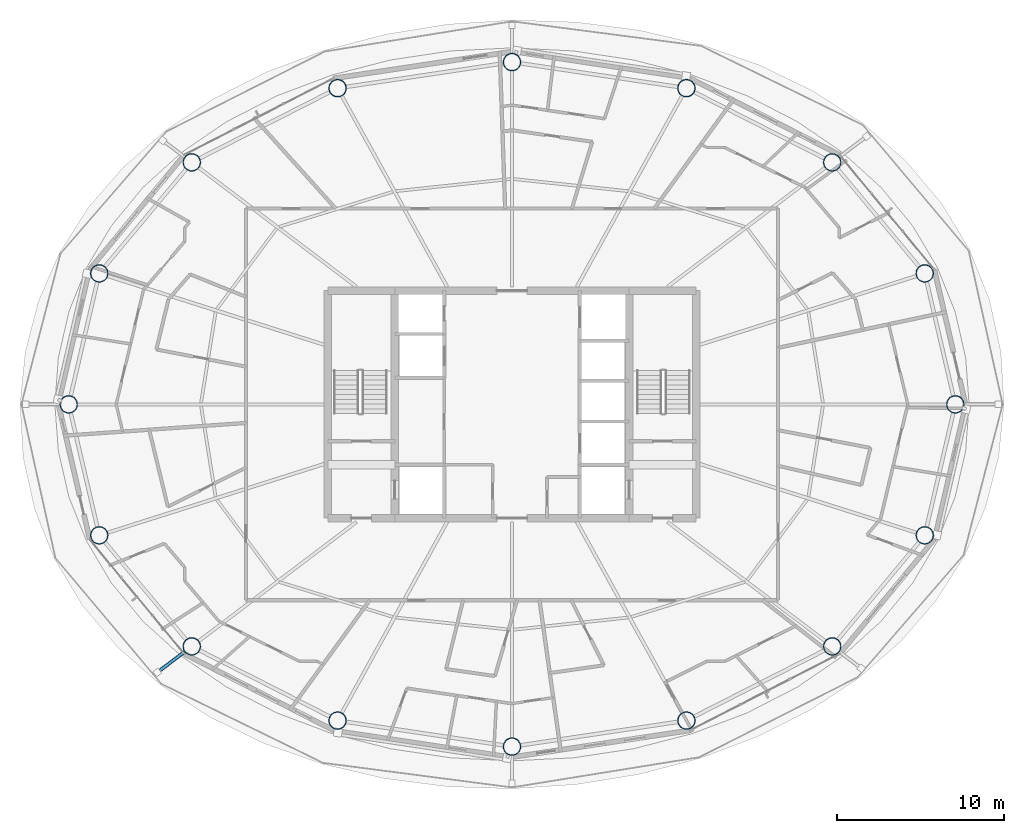
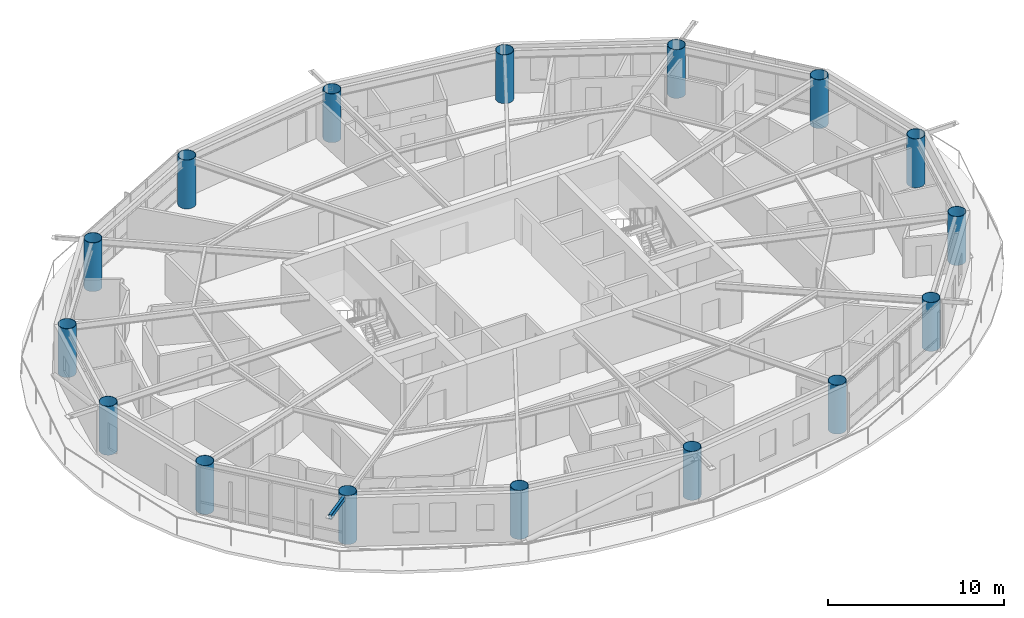
# One storey, part 1 of 30: 16 columns, 1 member.
"""IFC4 building model written with IfcOpenShell, lengths in metres."""

from ifc_helpers import new_model, si_unit, direction, frame, origin, origin_2d, place, context, subcontext, project, spatial, hollow_rectangle, hollow_circle, extrude, material, material_profile, profile_set, type_object, element, save


model = new_model("IFC4")

# Units and contexts
model_context = context("Model", 3, precision=1e-05, world=origin(), true_north=direction((0.0, 1.0)))
body_context = subcontext(model_context, "Body", "Model", "MODEL_VIEW")
ifc_project = project(units=[si_unit("LENGTHUNIT", "METRE"), si_unit("AREAUNIT", "SQUARE_METRE"), si_unit("VOLUMEUNIT", "CUBIC_METRE"), si_unit("PLANEANGLEUNIT", "RADIAN"), si_unit("MASSUNIT", "GRAM", prefix="KILO")], contexts=[model_context])

# Site, building, storey
site_placement = place(None, origin())
site = spatial("IfcSite", under=ifc_project, at=site_placement, CompositionType="ELEMENT")
building_placement = place(site_placement, origin())
building = spatial("IfcBuilding", under=site, at=building_placement, Name="Sarneth Arch Tower", CompositionType="ELEMENT")
storey_placement = place(building_placement, frame((0.0, 0.0, 161.39990234375)))
storey = spatial("IfcBuildingStorey", under=building, at=storey_placement, Name="L40", CompositionType="ELEMENT", Elevation=161.39990234375)

# Columns
ifc_material_1 = material(Name="Steel S355", Category="steel")
ifc_material_profile_1 = material_profile(ifc_material_1, hollow_circle(Radius=0.52490234375, WallThickness=0.028076171875, at=origin_2d()), Name="CHS1050x28")
ifc_profile_set_1 = profile_set([ifc_material_profile_1], Name="Steel S355")
column_type = type_object("IfcColumnType", Name="COL-MEGA-1050", PredefinedType="COLUMN", material=ifc_profile_set_1)
for number, where, z_axis, x_axis, name in (
    (1, (74.487060546875, 42.0, 0.0), (0.0, 0.0, 1.0), (1.0, 0.0, 0.0), "L40 Perimeter mega-column M01"),
    (2, (72.662109375, 49.825927734375, 0.0), (0.0, 0.0, 1.0), (1.0, 0.0, 0.0), "L40 Perimeter mega-column M02"),
    (3, (67.1337890625, 56.46044921875, 0.0), (0.0, 0.0, 1.0), (1.0, 0.0, 0.0), "L40 Perimeter mega-column M03"),
    (4, (58.421875, 60.893310546875, 0.0), (0.0, 0.0, 1.0), (1.0, 0.0, 0.0), "L40 Perimeter mega-column M04"),
    (5, (48.0, 62.449951171875, 0.0), (0.0, 0.0, 1.0), (1.0, 0.0, 0.0), "L40 Perimeter mega-column M05"),
    (6, (37.578125, 60.893310546875, 0.0), (0.0, 0.0, 1.0), (1.0, 0.0, 0.0), "L40 Perimeter mega-column M06"),
    (7, (28.8662109375, 56.46044921875, 0.0), (0.0, 0.0, 1.0), (1.0, 0.0, 0.0), "L40 Perimeter mega-column M07"),
    (8, (23.337890625, 49.825927734375, 0.0), (0.0, 0.0, 1.0), (1.0, 0.0, 0.0), "L40 Perimeter mega-column M08"),
    (9, (21.512939453125, 42.0, 0.0), (0.0, 0.0, 1.0), (1.0, 0.0, 0.0), "L40 Perimeter mega-column M09"),
    (10, (23.337890625, 34.174072265625, 0.0), (0.0, 0.0, 1.0), (1.0, 0.0, 0.0), "L40 Perimeter mega-column M10"),
    (11, (28.8662109375, 27.53955078125, 0.0), (0.0, 0.0, 1.0), (1.0, 0.0, 0.0), "L40 Perimeter mega-column M11"),
    (12, (37.578125, 23.106689453125, 0.0), (0.0, 0.0, 1.0), (1.0, 0.0, 0.0), "L40 Perimeter mega-column M12"),
    (13, (48.0, 21.550048828125, 0.0), (0.0, 0.0, 1.0), (1.0, 0.0, 0.0), "L40 Perimeter mega-column M13"),
    (14, (58.421875, 23.106689453125, 0.0), (0.0, 0.0, 1.0), (1.0, 0.0, 0.0), "L40 Perimeter mega-column M14"),
    (15, (67.1337890625, 27.53955078125, 0.0), (0.0, 0.0, 1.0), (1.0, 0.0, 0.0), "L40 Perimeter mega-column M15"),
    (16, (72.662109375, 34.174072265625, 0.0), (0.0, 0.0, 1.0), (1.0, 0.0, 0.0), "L40 Perimeter mega-column M16"),
):
    element("IfcColumn", number, at=place(storey_placement, frame(where, z_axis=z_axis, x_axis=x_axis)), inside=storey, type_object=column_type, Name=name, PredefinedType="COLUMN", context=body_context, shape_type="SweptSolid", body=[
        extrude(hollow_circle(Radius=0.52490234375, WallThickness=0.028076171875, at=origin_2d()), origin(), (0.0, 0.0, 1.0), 3.380126953125),
    ])

# Member
ifc_material_2 = material(Name="Steel S355", Category="steel")
ifc_material_profile_2 = material_profile(ifc_material_2, hollow_rectangle(XDim=0.199951171875, YDim=0.300048828125, WallThickness=0.012451171875, InnerFilletRadius=0.018798828125, OuterFilletRadius=0.03125, at=origin_2d()), Name="RHS300x200x12.5")
ifc_profile_set_2 = profile_set([ifc_material_profile_2], Name="Steel S355")
member_type = type_object("IfcMemberType", Name="MEM-CANT-STRUT", PredefinedType="STRUT", material=ifc_profile_set_2)
member_placement = place(storey_placement, frame((28.447265625, 27.22314453125, 3.22021484375), z_axis=(-0.797755533555, -0.60298101851, 0.0), x_axis=(0.60298101851, -0.797755533555, 0.0)))
element("IfcMember", 17, at=member_placement, inside=storey, type_object=member_type, Name="L40 Balcony cantilever bracket 11", PredefinedType="STRUT", context=body_context, shape_type="SweptSolid", body=[
    extrude(hollow_rectangle(XDim=0.199951171875, YDim=0.300048828125, WallThickness=0.012451171875, InnerFilletRadius=0.018798828125, OuterFilletRadius=0.03125, at=origin_2d()), origin(), (0.0, 0.0, 1.0), 2.054443359375),
])

save(model, "model.ifc")
